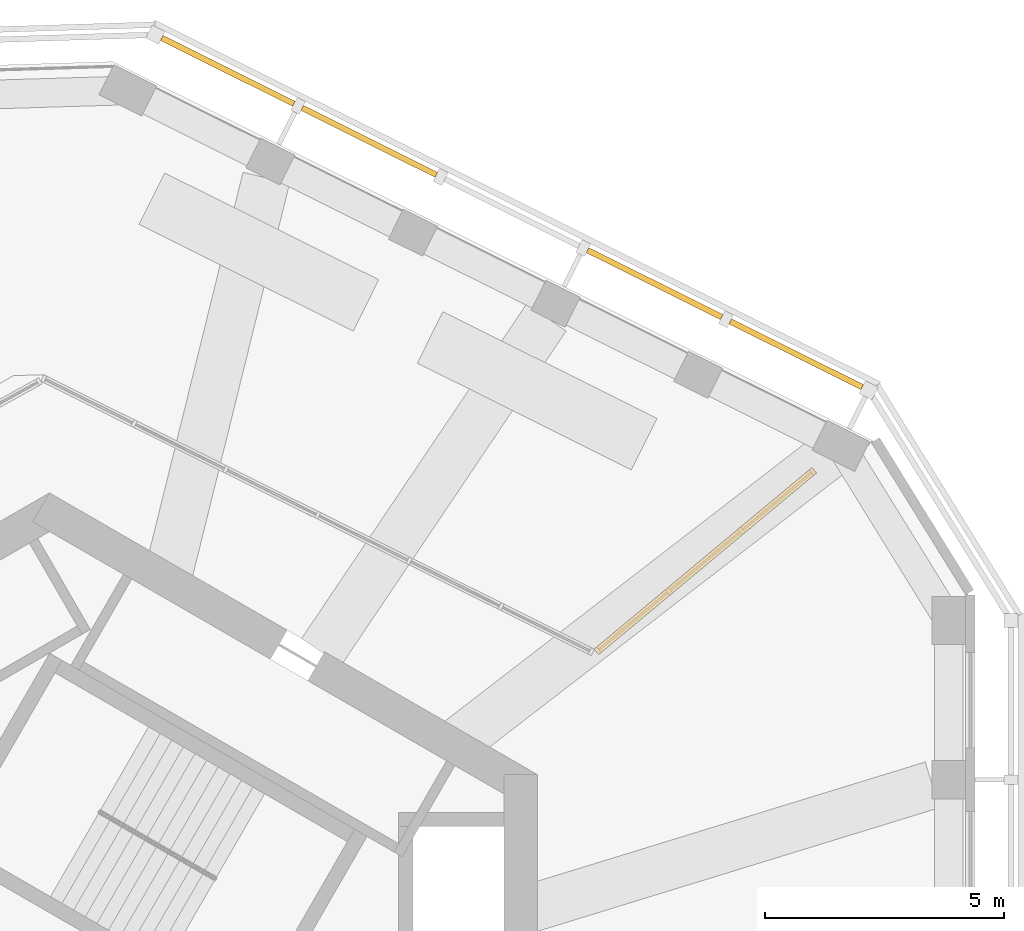
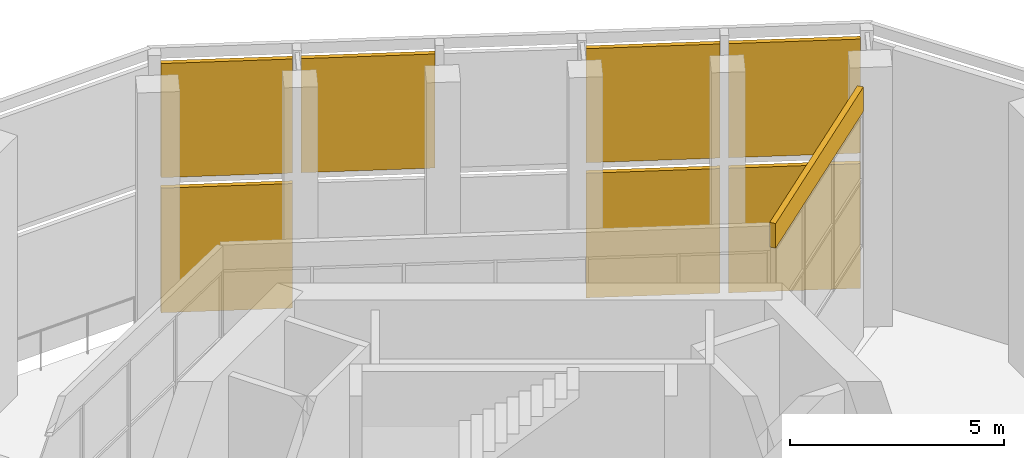
# One storey, part 15 of 16: 7 shading devices, 1 covering.
"""IFC4 building model written with IfcOpenShell, lengths in metres."""

from ifc_helpers import new_model, si_unit, direction, frame, origin, origin_2d, place, context, subcontext, project, spatial, rectangle, extrude, material, layer, layer_set, type_object, element, save


model = new_model("IFC4")

# Units and contexts
model_context = context("Model", 3, precision=1e-05, world=origin(), true_north=direction((0.0, 1.0)))
body_context = subcontext(model_context, "Body", "Model", "MODEL_VIEW")
ifc_project = project(units=[si_unit("LENGTHUNIT", "METRE"), si_unit("AREAUNIT", "SQUARE_METRE"), si_unit("VOLUMEUNIT", "CUBIC_METRE"), si_unit("PLANEANGLEUNIT", "RADIAN"), si_unit("MASSUNIT", "GRAM", prefix="KILO")], contexts=[model_context])

# Site, building, storey
site_placement = place(None, origin())
site = spatial("IfcSite", under=ifc_project, at=site_placement, CompositionType="ELEMENT")
building_placement = place(site_placement, origin())
building = spatial("IfcBuilding", under=site, at=building_placement, Name="Vanh Sen Convention Tower", CompositionType="ELEMENT")
storey_placement = place(building_placement, frame((0.0, 0.0, 278.300048828125)))
storey = spatial("IfcBuildingStorey", under=building, at=storey_placement, Name="L69", CompositionType="ELEMENT", Elevation=278.300048828125)

# Shading devices
ifc_material_1 = material(Name="Concrete C50/60", Category="concrete")
ifc_layer_1 = layer(ifc_material_1, 0.1201171875)
ifc_layer_set_1 = layer_set([ifc_layer_1], Name="Concrete C50/60")
shading_device_type = type_object("IfcShadingDeviceType", Name="Sun-screen louvre 120", PredefinedType="USERDEFINED", material=ifc_layer_set_1)
shading_device_1_placement = place(storey_placement, frame((15.609619140625, 14.677001953125, 0.0), z_axis=(0.0, 0.0, 1.0), x_axis=(-0.894931246532, 0.446204060919, 0.0)))
element("IfcShadingDevice", 1, at=shading_device_1_placement, inside=storey, type_object=shading_device_type, Name="OUTER SKIN sun-screen louvre NE-1", ObjectType="LOUVRE", PredefinedType="USERDEFINED", context=body_context, shape_type="SweptSolid", body=[
    extrude(rectangle(XDim=3.081787109375, YDim=0.1201171875, at=origin_2d()), origin(), (0.0, 0.0, 1.0), 3.550048828125),
])
shading_device_2_placement = place(storey_placement, frame((15.609619140625, 14.677001953125, 3.849853515625), z_axis=(0.0, 0.0, 1.0), x_axis=(-0.894931246532, 0.446204060919, 0.0)))
element("IfcShadingDevice", 2, at=shading_device_2_placement, inside=storey, type_object=shading_device_type, Name="OUTER SKIN sun-screen louvre NE-1", ObjectType="LOUVRE", PredefinedType="USERDEFINED", context=body_context, shape_type="SweptSolid", body=[
    extrude(rectangle(XDim=3.081787109375, YDim=0.1201171875, at=origin_2d()), origin(), (0.0, 0.0, 1.0), 3.25),
])
shading_device_3_placement = place(storey_placement, frame((12.650390625, 16.152587890625, 0.0), z_axis=(0.0, 0.0, 1.0), x_axis=(-0.894931246532, 0.446204060919, 0.0)))
element("IfcShadingDevice", 3, at=shading_device_3_placement, inside=storey, type_object=shading_device_type, Name="OUTER SKIN sun-screen louvre NE-2", ObjectType="LOUVRE", PredefinedType="USERDEFINED", context=body_context, shape_type="SweptSolid", body=[
    extrude(rectangle(XDim=3.131591796875, YDim=0.1201171875, at=origin_2d()), origin(), (0.0, 0.0, 1.0), 3.550048828125),
])
for number, where, z_axis, x_axis, name in (
    (4, (12.650390625, 16.152587890625, 3.849853515625), (0.0, 0.0, 1.0), (-0.894931246532, 0.446204060919, 0.0), "OUTER SKIN sun-screen louvre NE-2"),
    (5, (6.687255859375, 19.125732421875, 3.849853515625), (0.0, 0.0, 1.0), (-0.89494292782, 0.446180631521, 0.0), "OUTER SKIN sun-screen louvre NE-4"),
):
    element("IfcShadingDevice", number, at=place(storey_placement, frame(where, z_axis=z_axis, x_axis=x_axis)), inside=storey, type_object=shading_device_type, Name=name, ObjectType="LOUVRE", PredefinedType="USERDEFINED", context=body_context, shape_type="SweptSolid", body=[
        extrude(rectangle(XDim=3.131591796875, YDim=0.1201171875, at=origin_2d()), origin(), (0.0, 0.0, 1.0), 3.25),
    ])
shading_device_4_placement = place(storey_placement, frame((3.727783203125, 20.60107421875, 0.0), z_axis=(0.0, 0.0, 1.0), x_axis=(-0.894931246532, 0.446204060919, 0.0)))
element("IfcShadingDevice", 6, at=shading_device_4_placement, inside=storey, type_object=shading_device_type, Name="OUTER SKIN sun-screen louvre NE-5", ObjectType="LOUVRE", PredefinedType="USERDEFINED", context=body_context, shape_type="SweptSolid", body=[
    extrude(rectangle(XDim=3.081787109375, YDim=0.1201171875, at=origin_2d()), origin(), (0.0, 0.0, 1.0), 3.550048828125),
])
shading_device_5_placement = place(storey_placement, frame((3.727783203125, 20.60107421875, 3.849853515625), z_axis=(0.0, 0.0, 1.0), x_axis=(-0.894931246532, 0.446204060919, 0.0)))
element("IfcShadingDevice", 7, at=shading_device_5_placement, inside=storey, type_object=shading_device_type, Name="OUTER SKIN sun-screen louvre NE-5", ObjectType="LOUVRE", PredefinedType="USERDEFINED", context=body_context, shape_type="SweptSolid", body=[
    extrude(rectangle(XDim=3.081787109375, YDim=0.1201171875, at=origin_2d()), origin(), (0.0, 0.0, 1.0), 3.25),
])

# Covering
ifc_material_2 = material(Name="Insulated aluminium composite panel", Category="aluminium")
ifc_layer_2 = layer(ifc_material_2, 0.14990234375)
ifc_layer_set_2 = layer_set([ifc_layer_2], Name="Insulated aluminium composite panel")
covering_type = type_object("IfcCoveringType", Name="Winter garden head cladding 150", PredefinedType="CLADDING", material=ifc_layer_set_2)
covering_placement = place(storey_placement, frame((13.708984375, 10.35205078125, 6.419921875), z_axis=(0.0, 0.0, 1.0), x_axis=(0.768293578318, 0.640097631237, 0.0)))
element("IfcCovering", 8, at=covering_placement, inside=storey, type_object=covering_type, Name="Winter garden head cladding 5 L69", PredefinedType="CLADDING", context=body_context, shape_type="SweptSolid", body=[
    extrude(rectangle(XDim=5.93017578125, YDim=0.14990234375, at=origin_2d()), origin(), (0.0, 0.0, 1.0), 0.699951171875),
])

save(model, "model.ifc")
